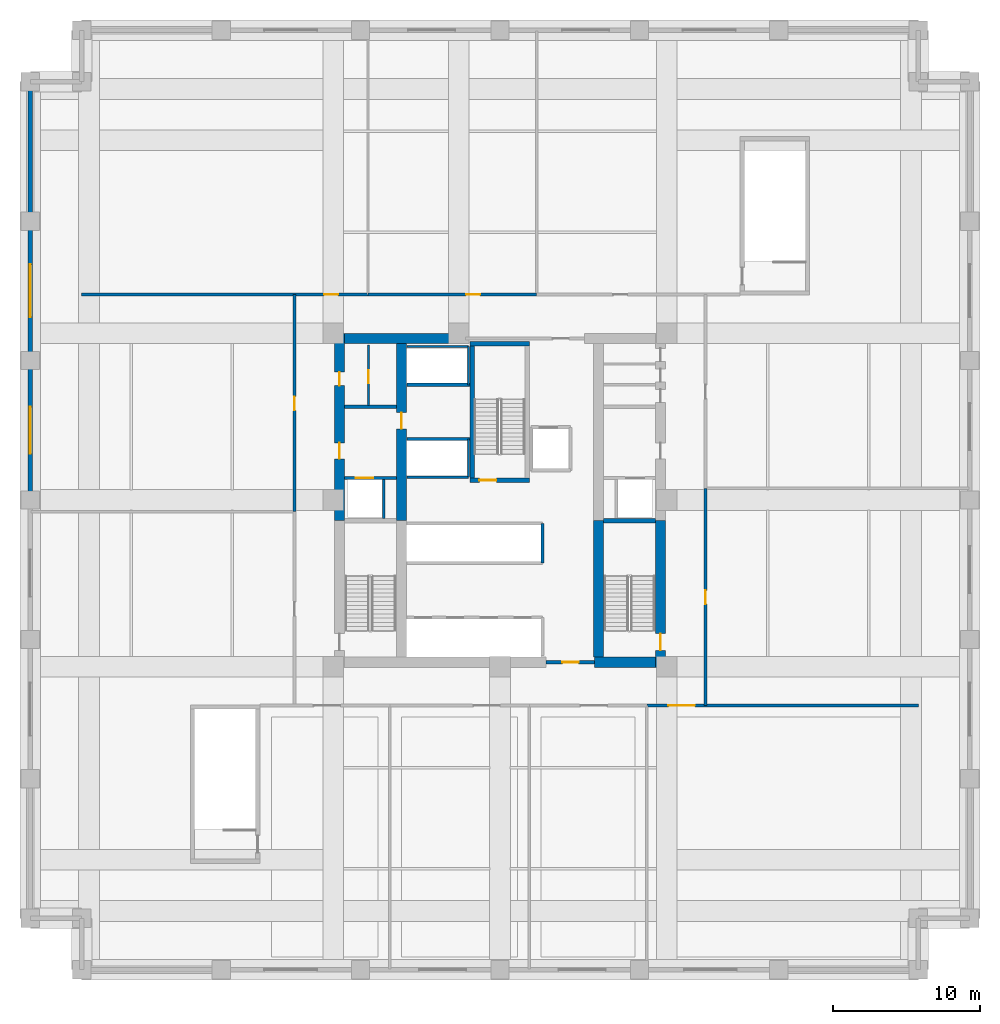
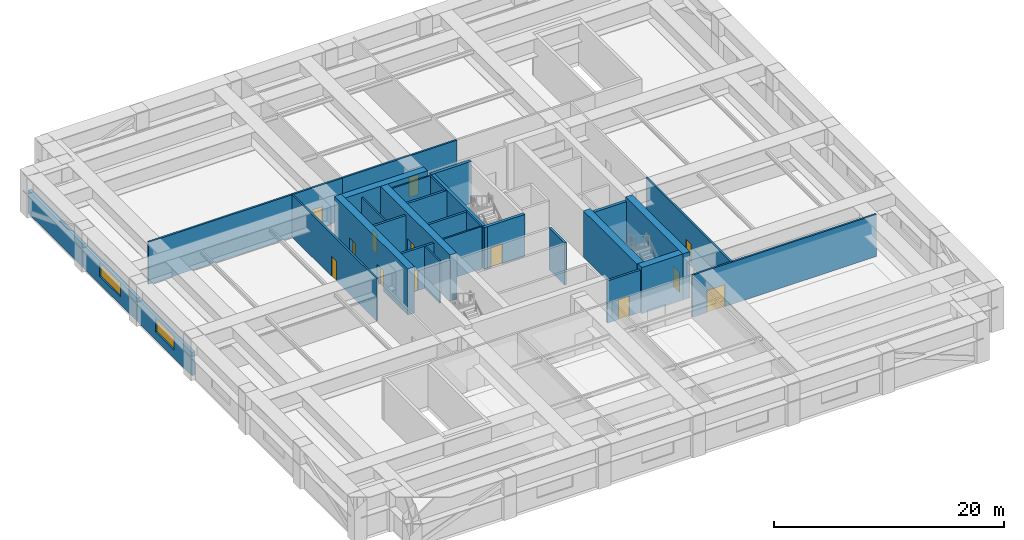
# One storey, part 3 of 8: 30 walls, 13 doors, 2 windows, 15 openings.
"""IFC4 building model written with IfcOpenShell, lengths in metres."""

from ifc_helpers import new_model, si_unit, direction, frame, frame_2d, origin, place, context, subcontext, project, spatial, rectangle, extrude, material, layer, layer_set, type_object, element, fill, save


model = new_model("IFC4")

# Units and contexts
model_context = context("Model", 3, precision=1e-05, world=origin(), true_north=direction((0.0, 1.0)))
body_context = subcontext(model_context, "Body", "Model", "MODEL_VIEW")
ifc_project = project(units=[si_unit("LENGTHUNIT", "METRE"), si_unit("AREAUNIT", "SQUARE_METRE"), si_unit("VOLUMEUNIT", "CUBIC_METRE"), si_unit("PLANEANGLEUNIT", "RADIAN"), si_unit("MASSUNIT", "GRAM", prefix="KILO")], contexts=[model_context])

# Site, building, storey
site_placement = place(None, origin())
site = spatial("IfcSite", under=ifc_project, at=site_placement, CompositionType="ELEMENT")
building_placement = place(site_placement, origin())
building = spatial("IfcBuilding", under=site, at=building_placement, Name="Nhamokura Convention Tower", CompositionType="ELEMENT")
storey_placement = place(building_placement, frame((0.0, 0.0, 29.39990234375)))
storey = spatial("IfcBuildingStorey", under=building, at=storey_placement, Name="L05", CompositionType="ELEMENT", Elevation=29.39990234375)

# Wall, opening, door
ifc_material_1 = material(Name="Moisture-resistant tile-backer partition", Category="masonry")
ifc_layer_1 = layer(ifc_material_1, 0.139892578125)
ifc_layer_set_1 = layer_set([ifc_layer_1], Name="BathroomWetWall_140")
wall_type_1 = type_object("IfcWallType", Name="BathroomWetWall_140", PredefinedType="STANDARD", material=ifc_layer_set_1)
wall_1_placement = place(storey_placement, frame((23.050048828125, 38.449951171875, 0.0), z_axis=(0.0, 0.0, 1.0), x_axis=(0.0, 1.0, 0.0)))
wall_1 = element("IfcWall", 1, at=wall_1_placement, inside=storey, type_object=wall_type_1, Name="L05 Wall INT-L05-CWNWV", PredefinedType="STANDARD", context=body_context, shape_type="SweptSolid", body=[
    extrude(rectangle(XDim=4.10009765625, YDim=0.139892578125, at=frame_2d((2.050048828125, 0.0))), origin(), (0.0, 0.0, 1.0), 4.47998046875),
])
opening_1_placement = place(wall_1_placement, frame((1.5, 0.0, 0.0)))
opening_1 = element("IfcOpeningElement", 2, at=opening_1_placement, cuts=wall_1, Name="Opening D-11", PredefinedType="OPENING", context=body_context, shape_type="SweptSolid", body=[
    extrude(rectangle(XDim=0.8798828125, YDim=2.10009765625, at=frame_2d((0.43994140625, 1.050048828125))), frame((0.0, 0.079833984375, 0.0), z_axis=(0.0, -1.0, 0.0), x_axis=(1.0, 0.0, 0.0)), (0.0, 0.0, 1.0), 0.159912109375),
])
ifc_material_2 = material(Name="Solid oak hardwood", Category="wood")
door_type_1 = type_object("IfcDoorType", Name="BathroomDoor_880", OperationType="NOTDEFINED", PredefinedType="DOOR", material=ifc_material_2)
door_1_placement = place(opening_1_placement, origin())
door_1 = element("IfcDoor", 3, at=door_1_placement, inside=storey, type_object=door_type_1, Name="L05 Inner Store Door", OperationType="SINGLE_SWING_LEFT", OverallHeight=2.10009765625, OverallWidth=0.8798828125, PredefinedType="DOOR", context=body_context, shape_type="SweptSolid", body=[
    extrude(rectangle(XDim=0.8798828125, YDim=2.10009765625, at=frame_2d((0.43994140625, 1.050048828125))), frame((0.0, 0.02490234375, 0.0), z_axis=(0.0, -1.0, 0.0), x_axis=(1.0, 0.0, 0.0)), (0.0, 0.0, 1.0), 0.050048828125),
])
fill(opening_1, door_1)

# Wall, opening, window
ifc_material_3 = material(Name="Bronze-pigmented precast concrete C45/55", Category="concrete")
ifc_layer_2 = layer(ifc_material_3, 0.320068359375)
ifc_layer_set_2 = layer_set([ifc_layer_2], Name="BronzePrecastSpandrel_320")
wall_type_2 = type_object("IfcWallType", Name="BronzePrecastSpandrel_320", PredefinedType="USERDEFINED", material=ifc_layer_set_2)
wall_2_placement = place(storey_placement, frame((0.0, 32.0, 0.0), z_axis=(0.0, 0.0, 1.0), x_axis=(0.0, 1.0, 0.0)))
wall_2 = element("IfcWall", 4, at=wall_2_placement, inside=storey, type_object=wall_type_2, Name="L05 Masonry-Frame Wall WEST 3", ObjectType="SPANDREL_WALL", PredefinedType="USERDEFINED", context=body_context, shape_type="SweptSolid", body=[
    extrude(rectangle(XDim=9.5, YDim=0.320068359375, at=frame_2d((4.75, 0.0))), origin(), (0.0, 0.0, 1.0), 2.47998046875),
])
opening_2_placement = place(wall_2_placement, frame((3.14990234375, 0.0, 0.85009765625)))
opening_2 = element("IfcOpeningElement", 5, at=opening_2_placement, cuts=wall_2, Name="Opening W-02", PredefinedType="OPENING", context=body_context, shape_type="SweptSolid", body=[
    extrude(rectangle(XDim=3.199951171875, YDim=1.429931640625, at=frame_2d((1.60009765625, 0.71484375))), frame((0.0, 0.169921875, 0.0), z_axis=(0.0, -1.0, 0.0), x_axis=(1.0, 0.0, 0.0)), (0.0, 0.0, 1.0), 0.340087890625),
])
ifc_material_4 = material(Name="Solar-control bronze low-E double glass", Category="glass")
window_type_1 = type_object("IfcWindowType", Name="ConventionFoyerWindow_3200", PartitioningType="DOUBLE_PANEL_VERTICAL", PredefinedType="WINDOW", material=ifc_material_4)
window_1_placement = place(opening_2_placement, origin())
window_1 = element("IfcWindow", 6, at=window_1_placement, inside=storey, type_object=window_type_1, Name="L05 Facade Window WEST 3", OverallHeight=1.429931640625, OverallWidth=3.199951171875, PartitioningType="SINGLE_PANEL", PredefinedType="WINDOW", context=body_context, shape_type="SweptSolid", body=[
    extrude(rectangle(XDim=3.199951171875, YDim=1.429931640625, at=frame_2d((1.60009765625, 0.71484375))), frame((0.0, 0.030029296875, 0.0), z_axis=(0.0, -1.0, 0.0), x_axis=(1.0, 0.0, 0.0)), (0.0, 0.0, 1.0), 0.06005859375),
])
fill(opening_2, window_1)

wall_3_placement = place(storey_placement, frame((0.0, 41.5, 0.0), z_axis=(0.0, 0.0, 1.0), x_axis=(0.0, 1.0, 0.0)))
wall_3 = element("IfcWall", 7, at=wall_3_placement, inside=storey, type_object=wall_type_2, Name="L05 Masonry-Frame Wall WEST 4", ObjectType="SPANDREL_WALL", PredefinedType="USERDEFINED", context=body_context, shape_type="SweptSolid", body=[
    extrude(rectangle(XDim=9.5, YDim=0.320068359375, at=frame_2d((4.75, 0.0))), origin(), (0.0, 0.0, 1.0), 2.47998046875),
])
opening_3_placement = place(wall_3_placement, frame((2.949951171875, 0.0, 0.85009765625)))
opening_3 = element("IfcOpeningElement", 8, at=opening_3_placement, cuts=wall_3, Name="Opening W-01", PredefinedType="OPENING", context=body_context, shape_type="SweptSolid", body=[
    extrude(rectangle(XDim=3.60009765625, YDim=1.429931640625, at=frame_2d((1.800048828125, 0.71484375))), frame((0.0, 0.169921875, 0.0), z_axis=(0.0, -1.0, 0.0), x_axis=(1.0, 0.0, 0.0)), (0.0, 0.0, 1.0), 0.340087890625),
])
ifc_material_5 = material(Name="Solar-control bronze low-E double glass", Category="glass")
window_type_2 = type_object("IfcWindowType", Name="PodiumClerestoryWindow_3600", PartitioningType="TRIPLE_PANEL_VERTICAL", PredefinedType="WINDOW", material=ifc_material_5)
window_2_placement = place(opening_3_placement, origin())
window_2 = element("IfcWindow", 9, at=window_2_placement, inside=storey, type_object=window_type_2, Name="L05 Facade Window WEST 4", OverallHeight=1.429931640625, OverallWidth=3.60009765625, PartitioningType="SINGLE_PANEL", PredefinedType="WINDOW", context=body_context, shape_type="SweptSolid", body=[
    extrude(rectangle(XDim=3.60009765625, YDim=1.429931640625, at=frame_2d((1.800048828125, 0.71484375))), frame((0.0, 0.030029296875, 0.0), z_axis=(0.0, -1.0, 0.0), x_axis=(1.0, 0.0, 0.0)), (0.0, 0.0, 1.0), 0.06005859375),
])
fill(opening_3, window_2)

# Wall
wall_4_placement = place(storey_placement, frame((0.0, 51.0, 0.0), z_axis=(0.0, 0.0, 1.0), x_axis=(0.0, 1.0, 0.0)))
element("IfcWall", 10, at=wall_4_placement, inside=storey, type_object=wall_type_2, Name="L05 Braced-Bay Precast Wall WEST 5", ObjectType="SPANDREL_WALL", PredefinedType="USERDEFINED", context=body_context, shape_type="SweptSolid", body=[
    extrude(rectangle(XDim=9.5, YDim=0.320068359375, at=frame_2d((4.75, 0.0))), origin(), (0.0, 0.0, 1.0), 2.47998046875),
])

# Wall, openings, doors
ifc_material_6 = material(Name="Concrete C70/85", Category="concrete")
ifc_layer_3 = layer(ifc_material_6, 0.699951171875)
ifc_layer_set_3 = layer_set([ifc_layer_3], Name="CoreShearWall_700")
wall_type_3 = type_object("IfcWallType", Name="CoreShearWall_700", PredefinedType="SHEAR", material=ifc_layer_set_3)
wall_5_placement = place(storey_placement, frame((21.06005859375, 30.60009765625, 0.0), z_axis=(0.0, 0.0, 1.0), x_axis=(0.0, 1.0, 0.0)))
wall_5 = element("IfcWall", 11, at=wall_5_placement, inside=storey, type_object=wall_type_3, Name="L05 Core Shear Wall CW-WN", PredefinedType="SHEAR", context=body_context, shape_type="SweptSolid", body=[
    extrude(rectangle(XDim=12.75, YDim=0.699951171875, at=frame_2d((6.375, 0.0))), origin(), (0.0, 0.0, 1.0), 4.900146484375),
])
opening_4_placement = place(wall_5_placement, frame((4.199951171875, 0.0, 0.0)))
opening_4 = element("IfcOpeningElement", 12, at=opening_4_placement, cuts=wall_5, Name="Opening D-05", PredefinedType="OPENING", context=body_context, shape_type="SweptSolid", body=[
    extrude(rectangle(XDim=1.10009765625, YDim=2.14990234375, at=frame_2d((0.550048828125, 1.074951171875))), frame((0.0, 0.35986328125, 0.0), z_axis=(0.0, -1.0, 0.0), x_axis=(1.0, 0.0, 0.0)), (0.0, 0.0, 1.0), 0.719970703125),
])
opening_5_placement = place(wall_5_placement, frame((9.199951171875, 0.0, 0.0)))
opening_5 = element("IfcOpeningElement", 13, at=opening_5_placement, cuts=wall_5, Name="Opening D-10", PredefinedType="OPENING", context=body_context, shape_type="SweptSolid", body=[
    extrude(rectangle(XDim=0.919921875, YDim=2.10009765625, at=frame_2d((0.4599609375, 1.050048828125))), frame((0.0, 0.35986328125, 0.0), z_axis=(0.0, -1.0, 0.0), x_axis=(1.0, 0.0, 0.0)), (0.0, 0.0, 1.0), 0.719970703125),
])
ifc_material_7 = material(Name="Solid oak hardwood", Category="wood")
door_type_2 = type_object("IfcDoorType", Name="AccessibleWCDoor_920", OperationType="NOTDEFINED", PredefinedType="DOOR", material=ifc_material_7)
door_2_placement = place(opening_5_placement, origin())
door_2 = element("IfcDoor", 14, at=door_2_placement, inside=storey, type_object=door_type_2, Name="L05 Core Door INT-L05-D-AWCW", OperationType="SINGLE_SWING_RIGHT", OverallHeight=2.10009765625, OverallWidth=0.919921875, PredefinedType="DOOR", context=body_context, shape_type="SweptSolid", body=[
    extrude(rectangle(XDim=0.919921875, YDim=2.10009765625, at=frame_2d((0.4599609375, 1.050048828125))), frame((0.0, 0.02490234375, 0.0), z_axis=(0.0, -1.0, 0.0), x_axis=(1.0, 0.0, 0.0)), (0.0, 0.0, 1.0), 0.050048828125),
])
fill(opening_5, door_2)
ifc_material_8 = material(Name="Fire-rated steel door", Category="steel")
door_type_3 = type_object("IfcDoorType", Name="FireLobbyDoor_1100", OperationType="NOTDEFINED", PredefinedType="DOOR", material=ifc_material_8)
door_3_placement = place(opening_4_placement, origin())
door_3 = element("IfcDoor", 15, at=door_3_placement, inside=storey, type_object=door_type_3, Name="L05 Core Door INT-L05-D-FFLW", OperationType="SINGLE_SWING_RIGHT", OverallHeight=2.14990234375, OverallWidth=1.10009765625, PredefinedType="DOOR", context=body_context, shape_type="SweptSolid", body=[
    extrude(rectangle(XDim=1.10009765625, YDim=2.14990234375, at=frame_2d((0.550048828125, 1.074951171875))), frame((0.0, 0.02490234375, 0.0), z_axis=(0.0, -1.0, 0.0), x_axis=(1.0, 0.0, 0.0)), (0.0, 0.0, 1.0), 0.050048828125),
])
fill(opening_4, door_3)

# Wall, opening, door
wall_6_placement = place(storey_placement, frame((42.93994140625, 20.60009765625, 0.0), z_axis=(0.0, 0.0, 1.0), x_axis=(0.0, 1.0, 0.0)))
wall_6 = element("IfcWall", 16, at=wall_6_placement, inside=storey, type_object=wall_type_3, Name="L05 Core Shear Wall CW-ES", PredefinedType="SHEAR", context=body_context, shape_type="SweptSolid", body=[
    extrude(rectangle(XDim=10.0, YDim=0.699951171875, at=frame_2d((5.0, 0.0))), origin(), (0.0, 0.0, 1.0), 4.900146484375),
])
opening_6_placement = place(wall_6_placement, frame((1.14990234375, 0.0, 0.0)))
opening_6 = element("IfcOpeningElement", 17, at=opening_6_placement, cuts=wall_6, Name="Opening D-04", PredefinedType="OPENING", context=body_context, shape_type="SweptSolid", body=[
    extrude(rectangle(XDim=1.14990234375, YDim=2.14990234375, at=frame_2d((0.574951171875, 1.074951171875))), frame((0.0, 0.35986328125, 0.0), z_axis=(0.0, -1.0, 0.0), x_axis=(1.0, 0.0, 0.0)), (0.0, 0.0, 1.0), 0.719970703125),
])
ifc_material_9 = material(Name="Fire-rated steel door", Category="steel")
door_type_4 = type_object("IfcDoorType", Name="StairSmokeDoor_1150", OperationType="NOTDEFINED", PredefinedType="DOOR", material=ifc_material_9)
door_4_placement = place(opening_6_placement, origin())
door_4 = element("IfcDoor", 18, at=door_4_placement, inside=storey, type_object=door_type_4, Name="L05 Core Door INT-L05-D-ST02", OperationType="SINGLE_SWING_RIGHT", OverallHeight=2.14990234375, OverallWidth=1.14990234375, PredefinedType="DOOR", context=body_context, shape_type="SweptSolid", body=[
    extrude(rectangle(XDim=1.14990234375, YDim=2.14990234375, at=frame_2d((0.574951171875, 1.074951171875))), frame((0.0, 0.02490234375, 0.0), z_axis=(0.0, -1.0, 0.0), x_axis=(1.0, 0.0, 0.0)), (0.0, 0.0, 1.0), 0.050048828125),
])
fill(opening_6, door_4)

# Walls
wall_7_placement = place(storey_placement, frame((38.449951171875, 20.949951171875, 0.0), z_axis=(0.0, 0.0, 1.0), x_axis=(1.0, 0.0, 0.0)))
element("IfcWall", 19, at=wall_7_placement, inside=storey, type_object=wall_type_3, Name="L05 Core Shear Wall CW-S2", PredefinedType="SHEAR", context=body_context, shape_type="SweptSolid", body=[
    extrude(rectangle(XDim=4.14013671875, YDim=0.699951171875, at=frame_2d((2.070068359375, 0.0))), origin(), (0.0, 0.0, 1.0), 4.900146484375),
])
wall_8_placement = place(storey_placement, frame((21.409912109375, 43.0, 0.0), z_axis=(0.0, 0.0, 1.0), x_axis=(1.0, 0.0, 0.0)))
element("IfcWall", 20, at=wall_8_placement, inside=storey, type_object=wall_type_3, Name="L05 Core Shear Wall CW-N1", PredefinedType="SHEAR", context=body_context, shape_type="SweptSolid", body=[
    extrude(rectangle(XDim=8.239990234375, YDim=0.699951171875, at=frame_2d((4.1201171875, 0.0))), origin(), (0.0, 0.0, 1.0), 4.900146484375),
])

# Wall, opening, door
wall_9_placement = place(storey_placement, frame((25.2900390625, 30.60009765625, 0.0), z_axis=(0.0, 0.0, 1.0), x_axis=(0.0, 1.0, 0.0)))
wall_9 = element("IfcWall", 21, at=wall_9_placement, inside=storey, type_object=wall_type_3, Name="L05 Core Shear Wall CW-IWN", PredefinedType="SHEAR", context=body_context, shape_type="SweptSolid", body=[
    extrude(rectangle(XDim=12.0498046875, YDim=0.699951171875, at=frame_2d((6.02490234375, 0.0))), origin(), (0.0, 0.0, 1.0), 4.900146484375),
])
opening_7_placement = place(wall_9_placement, frame((6.25, 0.0, 0.0)))
opening_7 = element("IfcOpeningElement", 22, at=opening_7_placement, cuts=wall_9, Name="Opening D-05", PredefinedType="OPENING", context=body_context, shape_type="SweptSolid", body=[
    extrude(rectangle(XDim=1.10009765625, YDim=2.14990234375, at=frame_2d((0.550048828125, 1.074951171875))), frame((0.0, 0.35986328125, 0.0), z_axis=(0.0, -1.0, 0.0), x_axis=(1.0, 0.0, 0.0)), (0.0, 0.0, 1.0), 0.719970703125),
])
door_5_placement = place(opening_7_placement, origin())
door_5 = element("IfcDoor", 23, at=door_5_placement, inside=storey, type_object=door_type_3, Name="L05 Core Door INT-L05-D-B3LOB", OperationType="SINGLE_SWING_LEFT", OverallHeight=2.14990234375, OverallWidth=1.10009765625, PredefinedType="DOOR", context=body_context, shape_type="SweptSolid", body=[
    extrude(rectangle(XDim=1.10009765625, YDim=2.14990234375, at=frame_2d((0.550048828125, 1.074951171875))), frame((0.0, 0.02490234375, 0.0), z_axis=(0.0, -1.0, 0.0), x_axis=(1.0, 0.0, 0.0)), (0.0, 0.0, 1.0), 0.050048828125),
])
fill(opening_7, door_5)

# Wall
wall_10_placement = place(storey_placement, frame((38.7099609375, 21.300048828125, 0.0), z_axis=(0.0, 0.0, 1.0), x_axis=(0.0, 1.0, 0.0)))
element("IfcWall", 24, at=wall_10_placement, inside=storey, type_object=wall_type_3, Name="L05 Core Shear Wall CW-IES", PredefinedType="SHEAR", context=body_context, shape_type="SweptSolid", body=[
    extrude(rectangle(XDim=9.300048828125, YDim=0.699951171875, at=frame_2d((4.64990234375, 0.0))), origin(), (0.0, 0.0, 1.0), 4.900146484375),
])

# Wall, opening, door
ifc_material_10 = material(Name="Fire-rated gypsum and masonry partition", Category="masonry")
ifc_layer_4 = layer(ifc_material_10, 0.179931640625)
ifc_layer_set_4 = layer_set([ifc_layer_4], Name="CorridorRatedWall_180")
wall_type_4 = type_object("IfcWallType", Name="CorridorRatedWall_180", PredefinedType="STANDARD", material=ifc_layer_set_4)
wall_11_placement = place(storey_placement, frame((42.0, 18.0, 0.0), z_axis=(0.0, 0.0, 1.0), x_axis=(1.0, 0.0, 0.0)))
wall_11 = element("IfcWall", 25, at=wall_11_placement, inside=storey, type_object=wall_type_4, Name="L05 Wall INT-L05-CW-S03", PredefinedType="STANDARD", context=body_context, shape_type="SweptSolid", body=[
    extrude(rectangle(XDim=18.5, YDim=0.179931640625, at=frame_2d((9.25, 0.0))), origin(), (0.0, 0.0, 1.0), 4.47998046875),
])
opening_8_placement = place(wall_11_placement, frame((1.47509765625, 0.0, 0.0)))
opening_8 = element("IfcOpeningElement", 26, at=opening_8_placement, cuts=wall_11, Name="Opening D-03", PredefinedType="OPENING", context=body_context, shape_type="SweptSolid", body=[
    extrude(rectangle(XDim=1.800048828125, YDim=2.35009765625, at=frame_2d((0.89990234375, 1.175048828125))), frame((0.0, 0.099853515625, 0.0), z_axis=(0.0, -1.0, 0.0), x_axis=(1.0, 0.0, 0.0)), (0.0, 0.0, 1.0), 0.199951171875),
])
ifc_material_11 = material(Name="Solid oak hardwood", Category="wood")
door_type_5 = type_object("IfcDoorType", Name="BallroomDoubleDoor_1800", OperationType="DOUBLE_DOOR_SINGLE_SWING", PredefinedType="DOOR", material=ifc_material_11)
door_6_placement = place(opening_8_placement, origin())
door_6 = element("IfcDoor", 27, at=door_6_placement, inside=storey, type_object=door_type_5, Name="L05 Symposium Hall S04 Door", OperationType="SINGLE_SWING_RIGHT", OverallHeight=2.35009765625, OverallWidth=1.800048828125, PredefinedType="DOOR", context=body_context, shape_type="SweptSolid", body=[
    extrude(rectangle(XDim=1.800048828125, YDim=2.35009765625, at=frame_2d((0.89990234375, 1.175048828125))), frame((0.0, 0.02490234375, 0.0), z_axis=(0.0, -1.0, 0.0), x_axis=(1.0, 0.0, 0.0)), (0.0, 0.0, 1.0), 0.050048828125),
])
fill(opening_8, door_6)

wall_12_placement = place(storey_placement, frame((3.5, 46.0, 0.0), z_axis=(0.0, 0.0, 1.0), x_axis=(1.0, 0.0, 0.0)))
wall_12 = element("IfcWall", 28, at=wall_12_placement, inside=storey, type_object=wall_type_4, Name="L05 Wall INT-L05-CW-N00", PredefinedType="STANDARD", context=body_context, shape_type="SweptSolid", body=[
    extrude(rectangle(XDim=19.5, YDim=0.179931640625, at=frame_2d((9.75, 0.0))), origin(), (0.0, 0.0, 1.0), 4.47998046875),
])
opening_9_placement = place(wall_12_placement, frame((16.52490234375, 0.0, 0.0)))
opening_9 = element("IfcOpeningElement", 29, at=opening_9_placement, cuts=wall_12, Name="Opening D-09", PredefinedType="OPENING", context=body_context, shape_type="SweptSolid", body=[
    extrude(rectangle(XDim=0.949951171875, YDim=2.14990234375, at=frame_2d((0.47509765625, 1.074951171875))), frame((0.0, 0.099853515625, 0.0), z_axis=(0.0, -1.0, 0.0), x_axis=(1.0, 0.0, 0.0)), (0.0, 0.0, 1.0), 0.199951171875),
])
ifc_material_12 = material(Name="Solid oak hardwood", Category="wood")
door_type_6 = type_object("IfcDoorType", Name="MeetingRoomDoor_950", OperationType="NOTDEFINED", PredefinedType="DOOR", material=ifc_material_12)
door_7_placement = place(opening_9_placement, origin())
door_7 = element("IfcDoor", 30, at=door_7_placement, inside=storey, type_object=door_type_6, Name="L05 Congress Secretariat N01 Door", OperationType="SINGLE_SWING_LEFT", OverallHeight=2.14990234375, OverallWidth=0.949951171875, PredefinedType="DOOR", context=body_context, shape_type="SweptSolid", body=[
    extrude(rectangle(XDim=0.949951171875, YDim=2.14990234375, at=frame_2d((0.47509765625, 1.074951171875))), frame((0.0, 0.02490234375, 0.0), z_axis=(0.0, -1.0, 0.0), x_axis=(1.0, 0.0, 0.0)), (0.0, 0.0, 1.0), 0.050048828125),
])
fill(opening_9, door_7)

wall_13_placement = place(storey_placement, frame((23.0, 46.0, 0.0), z_axis=(0.0, 0.0, 1.0), x_axis=(1.0, 0.0, 0.0)))
wall_13 = element("IfcWall", 31, at=wall_13_placement, inside=storey, type_object=wall_type_4, Name="L05 Wall INT-L05-CW-N01", PredefinedType="STANDARD", context=body_context, shape_type="SweptSolid", body=[
    extrude(rectangle(XDim=11.5, YDim=0.179931640625, at=frame_2d((5.75, 0.0))), origin(), (0.0, 0.0, 1.0), 4.47998046875),
])
opening_10_placement = place(wall_13_placement, frame((6.699951171875, 0.0, 0.0)))
opening_10 = element("IfcOpeningElement", 32, at=opening_10_placement, cuts=wall_13, Name="Opening D-09", PredefinedType="OPENING", context=body_context, shape_type="SweptSolid", body=[
    extrude(rectangle(XDim=0.949951171875, YDim=2.14990234375, at=frame_2d((0.47509765625, 1.074951171875))), frame((0.0, 0.099853515625, 0.0), z_axis=(0.0, -1.0, 0.0), x_axis=(1.0, 0.0, 0.0)), (0.0, 0.0, 1.0), 0.199951171875),
])
door_8_placement = place(opening_10_placement, origin())
door_8 = element("IfcDoor", 33, at=door_8_placement, inside=storey, type_object=door_type_6, Name="L05 Boardroom N02 Door", OperationType="SINGLE_SWING_RIGHT", OverallHeight=2.14990234375, OverallWidth=0.949951171875, PredefinedType="DOOR", context=body_context, shape_type="SweptSolid", body=[
    extrude(rectangle(XDim=0.949951171875, YDim=2.14990234375, at=frame_2d((0.47509765625, 1.074951171875))), frame((0.0, 0.02490234375, 0.0), z_axis=(0.0, -1.0, 0.0), x_axis=(1.0, 0.0, 0.0)), (0.0, 0.0, 1.0), 0.050048828125),
])
fill(opening_10, door_8)

wall_14_placement = place(storey_placement, frame((18.0, 31.199951171875, 0.0), z_axis=(0.0, 0.0, 1.0), x_axis=(0.0, 1.0, 0.0)))
wall_14 = element("IfcWall", 34, at=wall_14_placement, inside=storey, type_object=wall_type_4, Name="L05 Wall INT-L05-CW-W01", PredefinedType="STANDARD", context=body_context, shape_type="SweptSolid", body=[
    extrude(rectangle(XDim=14.800048828125, YDim=0.179931640625, at=frame_2d((7.39990234375, 0.0))), origin(), (0.0, 0.0, 1.0), 4.47998046875),
])
opening_11_placement = place(wall_14_placement, frame((6.89990234375, 0.0, 0.0)))
opening_11 = element("IfcOpeningElement", 35, at=opening_11_placement, cuts=wall_14, Name="Opening D-09", PredefinedType="OPENING", context=body_context, shape_type="SweptSolid", body=[
    extrude(rectangle(XDim=0.949951171875, YDim=2.14990234375, at=frame_2d((0.47509765625, 1.074951171875))), frame((0.0, 0.099853515625, 0.0), z_axis=(0.0, -1.0, 0.0), x_axis=(1.0, 0.0, 0.0)), (0.0, 0.0, 1.0), 0.199951171875),
])
door_9_placement = place(opening_11_placement, origin())
door_9 = element("IfcDoor", 36, at=door_9_placement, inside=storey, type_object=door_type_6, Name="L05 Meeting Room W02 Door", OperationType="SINGLE_SWING_RIGHT", OverallHeight=2.14990234375, OverallWidth=0.949951171875, PredefinedType="DOOR", context=body_context, shape_type="SweptSolid", body=[
    extrude(rectangle(XDim=0.949951171875, YDim=2.14990234375, at=frame_2d((0.47509765625, 1.074951171875))), frame((0.0, 0.02490234375, 0.0), z_axis=(0.0, -1.0, 0.0), x_axis=(1.0, 0.0, 0.0)), (0.0, 0.0, 1.0), 0.050048828125),
])
fill(opening_11, door_9)

wall_15_placement = place(storey_placement, frame((46.0, 18.0, 0.0), z_axis=(0.0, 0.0, 1.0), x_axis=(0.0, 1.0, 0.0)))
wall_15 = element("IfcWall", 37, at=wall_15_placement, inside=storey, type_object=wall_type_4, Name="L05 Wall INT-L05-CW-E00", PredefinedType="STANDARD", context=body_context, shape_type="SweptSolid", body=[
    extrude(rectangle(XDim=14.800048828125, YDim=0.179931640625, at=frame_2d((7.39990234375, 0.0))), origin(), (0.0, 0.0, 1.0), 4.47998046875),
])
opening_12_placement = place(wall_15_placement, frame((6.89990234375, 0.0, 0.0)))
opening_12 = element("IfcOpeningElement", 38, at=opening_12_placement, cuts=wall_15, Name="Opening D-09", PredefinedType="OPENING", context=body_context, shape_type="SweptSolid", body=[
    extrude(rectangle(XDim=0.949951171875, YDim=2.14990234375, at=frame_2d((0.47509765625, 1.074951171875))), frame((0.0, 0.099853515625, 0.0), z_axis=(0.0, -1.0, 0.0), x_axis=(1.0, 0.0, 0.0)), (0.0, 0.0, 1.0), 0.199951171875),
])
door_10_placement = place(opening_12_placement, origin())
door_10 = element("IfcDoor", 39, at=door_10_placement, inside=storey, type_object=door_type_6, Name="L05 Delegate Business Lounge E01 Door", OperationType="SINGLE_SWING_LEFT", OverallHeight=2.14990234375, OverallWidth=0.949951171875, PredefinedType="DOOR", context=body_context, shape_type="SweptSolid", body=[
    extrude(rectangle(XDim=0.949951171875, YDim=2.14990234375, at=frame_2d((0.47509765625, 1.074951171875))), frame((0.0, 0.02490234375, 0.0), z_axis=(0.0, -1.0, 0.0), x_axis=(1.0, 0.0, 0.0)), (0.0, 0.0, 1.0), 0.050048828125),
])
fill(opening_12, door_10)

ifc_material_13 = material(Name="Autoclaved concrete blockwork", Category="masonry")
ifc_layer_5 = layer(ifc_material_13, 0.219970703125)
ifc_layer_set_5 = layer_set([ifc_layer_5], Name="FireLobbyWall_220")
wall_type_5 = type_object("IfcWallType", Name="FireLobbyWall_220", PredefinedType="STANDARD", material=ifc_layer_set_5)
wall_16_placement = place(storey_placement, frame((21.409912109375, 33.5, 0.0), z_axis=(0.0, 0.0, 1.0), x_axis=(1.0, 0.0, 0.0)))
wall_16 = element("IfcWall", 40, at=wall_16_placement, inside=storey, type_object=wall_type_5, Name="L05 Wall INT-L05-FFW-S", PredefinedType="STANDARD", context=body_context, shape_type="SweptSolid", body=[
    extrude(rectangle(XDim=3.530029296875, YDim=0.219970703125, at=frame_2d((1.76513671875, 0.0))), origin(), (0.0, 0.0, 1.0), 4.47998046875),
])
opening_13_placement = place(wall_16_placement, frame((0.75, 0.0, 0.0)))
opening_13 = element("IfcOpeningElement", 41, at=opening_13_placement, cuts=wall_16, Name="Opening LD-02", PredefinedType="OPENING", context=body_context, shape_type="SweptSolid", body=[
    extrude(rectangle(XDim=1.199951171875, YDim=2.199951171875, at=frame_2d((0.60009765625, 1.10009765625))), frame((0.0, 0.119873046875, 0.0), z_axis=(0.0, -1.0, 0.0), x_axis=(1.0, 0.0, 0.0)), (0.0, 0.0, 1.0), 0.239990234375),
])
ifc_material_14 = material(Name="Anodised bronze stainless steel", Category="steel")
door_type_7 = type_object("IfcDoorType", Name="LiftLandingDoor_FireService", OperationType="DOUBLE_DOOR_SLIDING", PredefinedType="DOOR", material=ifc_material_14)
door_11_placement = place(opening_13_placement, origin())
door_11 = element("IfcDoor", 42, at=door_11_placement, inside=storey, type_object=door_type_7, Name="L05 Firefighting Lift LF-01 Door", OperationType="DOUBLE_DOOR_SLIDING", OverallHeight=2.199951171875, OverallWidth=1.199951171875, PredefinedType="DOOR", context=body_context, shape_type="SweptSolid", body=[
    extrude(rectangle(XDim=1.199951171875, YDim=2.199951171875, at=frame_2d((0.60009765625, 1.10009765625))), frame((0.0, 0.02490234375, 0.0), z_axis=(0.0, -1.0, 0.0), x_axis=(1.0, 0.0, 0.0)), (0.0, 0.0, 1.0), 0.050048828125),
])
fill(opening_13, door_11)

# Wall
wall_17_placement = place(storey_placement, frame((21.409912109375, 38.35009765625, 0.0), z_axis=(0.0, 0.0, 1.0), x_axis=(1.0, 0.0, 0.0)))
element("IfcWall", 43, at=wall_17_placement, inside=storey, type_object=wall_type_5, Name="L05 Wall INT-L05-FFW-N", PredefinedType="STANDARD", context=body_context, shape_type="SweptSolid", body=[
    extrude(rectangle(XDim=3.530029296875, YDim=0.219970703125, at=frame_2d((1.76513671875, 0.0))), origin(), (0.0, 0.0, 1.0), 4.47998046875),
])

# Wall, opening, door
wall_18_placement = place(storey_placement, frame((35.14990234375, 20.949951171875, 0.0), z_axis=(0.0, 0.0, 1.0), x_axis=(1.0, 0.0, 0.0)))
wall_18 = element("IfcWall", 44, at=wall_18_placement, inside=storey, type_object=wall_type_5, Name="L05 Wall INT-L05-SPORT-S", PredefinedType="STANDARD", context=body_context, shape_type="SweptSolid", body=[
    extrude(rectangle(XDim=3.300048828125, YDim=0.219970703125, at=frame_2d((1.64990234375, 0.0))), origin(), (0.0, 0.0, 1.0), 4.47998046875),
])
opening_14_placement = place(wall_18_placement, frame((1.10009765625, 0.0, 0.0)))
opening_14 = element("IfcOpeningElement", 45, at=opening_14_placement, cuts=wall_18, Name="Opening D-05", PredefinedType="OPENING", context=body_context, shape_type="SweptSolid", body=[
    extrude(rectangle(XDim=1.10009765625, YDim=2.14990234375, at=frame_2d((0.550048828125, 1.074951171875))), frame((0.0, 0.119873046875, 0.0), z_axis=(0.0, -1.0, 0.0), x_axis=(1.0, 0.0, 0.0)), (0.0, 0.0, 1.0), 0.239990234375),
])
door_12_placement = place(opening_14_placement, origin())
door_12 = element("IfcDoor", 46, at=door_12_placement, inside=storey, type_object=door_type_3, Name="L05 South Core Lobby Portal Door", OperationType="SINGLE_SWING_LEFT", OverallHeight=2.14990234375, OverallWidth=1.10009765625, PredefinedType="DOOR", context=body_context, shape_type="SweptSolid", body=[
    extrude(rectangle(XDim=1.10009765625, YDim=2.14990234375, at=frame_2d((0.550048828125, 1.074951171875))), frame((0.0, 0.02490234375, 0.0), z_axis=(0.0, -1.0, 0.0), x_axis=(1.0, 0.0, 0.0)), (0.0, 0.0, 1.0), 0.050048828125),
])
fill(opening_14, door_12)

# Walls
wall_19_placement = place(storey_placement, frame((34.89990234375, 27.699951171875, 0.0), z_axis=(0.0, 0.0, 1.0), x_axis=(0.0, 1.0, 0.0)))
element("IfcWall", 47, at=wall_19_placement, inside=storey, type_object=wall_type_5, Name="L05 Wall INT-L05-B2E", PredefinedType="STANDARD", context=body_context, shape_type="SweptSolid", body=[
    extrude(rectangle(XDim=2.699951171875, YDim=0.219970703125, at=frame_2d((1.35009765625, 0.0))), origin(), (0.0, 0.0, 1.0), 4.47998046875),
])
for number, where, z_axis, x_axis, name in (
    (48, (25.64990234375, 36.14990234375, 0.0), (0.0, 0.0, 1.0), (1.0, 0.0, 0.0), "L05 Wall INT-L05-B3S"),
    (49, (25.64990234375, 39.85009765625, 0.0), (0.0, 0.0, 1.0), (1.0, 0.0, 0.0), "L05 Wall INT-L05-B3N"),
):
    element("IfcWall", number, at=place(storey_placement, frame(where, z_axis=z_axis, x_axis=x_axis)), inside=storey, type_object=wall_type_5, Name=name, PredefinedType="STANDARD", context=body_context, shape_type="SweptSolid", body=[
        extrude(rectangle(XDim=4.300048828125, YDim=0.219970703125, at=frame_2d((2.14990234375, 0.0))), origin(), (0.0, 0.0, 1.0), 4.47998046875),
    ])
ifc_material_15 = material(Name="Acoustic gypsum stud partition", Category="masonry")
ifc_layer_6 = layer(ifc_material_15, 0.14990234375)
ifc_layer_set_6 = layer_set([ifc_layer_6], Name="InteriorPartition_150")
wall_type_6 = type_object("IfcWallType", Name="InteriorPartition_150", PredefinedType="STANDARD", material=ifc_layer_set_6)
wall_20_placement = place(storey_placement, frame((24.080078125, 30.75, 0.0), z_axis=(0.0, 0.0, 1.0), x_axis=(0.0, 1.0, 0.0)))
element("IfcWall", 50, at=wall_20_placement, inside=storey, type_object=wall_type_6, Name="L05 Wall INT-L05-FF1-E", PredefinedType="STANDARD", context=body_context, shape_type="SweptSolid", body=[
    extrude(rectangle(XDim=2.64990234375, YDim=0.14990234375, at=frame_2d((1.324951171875, 0.0))), origin(), (0.0, 0.0, 1.0), 4.47998046875),
])
wall_21_placement = place(storey_placement, frame((25.64990234375, 33.550048828125, 0.0), z_axis=(0.0, 0.0, 1.0), x_axis=(1.0, 0.0, 0.0)))
element("IfcWall", 51, at=wall_21_placement, inside=storey, type_object=wall_type_6, Name="L05 Wall INT-L05-B3A-S", PredefinedType="STANDARD", context=body_context, shape_type="SweptSolid", body=[
    extrude(rectangle(XDim=4.2001953125, YDim=0.14990234375, at=frame_2d((2.10009765625, 0.0))), origin(), (0.0, 0.0, 1.0), 4.47998046875),
])
wall_22_placement = place(storey_placement, frame((29.85009765625, 33.550048828125, 0.0), z_axis=(0.0, 0.0, 1.0), x_axis=(0.0, 1.0, 0.0)))
element("IfcWall", 52, at=wall_22_placement, inside=storey, type_object=wall_type_6, Name="L05 Wall INT-L05-B3A-E", PredefinedType="STANDARD", context=body_context, shape_type="SweptSolid", body=[
    extrude(rectangle(XDim=2.599853515625, YDim=0.14990234375, at=frame_2d((1.2998046875, 0.0))), origin(), (0.0, 0.0, 1.0), 4.47998046875),
])
wall_23_placement = place(storey_placement, frame((25.64990234375, 42.449951171875, 0.0), z_axis=(0.0, 0.0, 1.0), x_axis=(1.0, 0.0, 0.0)))
element("IfcWall", 53, at=wall_23_placement, inside=storey, type_object=wall_type_6, Name="L05 Wall INT-L05-B3B-N", PredefinedType="STANDARD", context=body_context, shape_type="SweptSolid", body=[
    extrude(rectangle(XDim=4.2001953125, YDim=0.14990234375, at=frame_2d((2.10009765625, 0.0))), origin(), (0.0, 0.0, 1.0), 4.47998046875),
])
wall_24_placement = place(storey_placement, frame((29.85009765625, 39.85009765625, 0.0), z_axis=(0.0, 0.0, 1.0), x_axis=(0.0, 1.0, 0.0)))
element("IfcWall", 54, at=wall_24_placement, inside=storey, type_object=wall_type_6, Name="L05 Wall INT-L05-B3B-E", PredefinedType="STANDARD", context=body_context, shape_type="SweptSolid", body=[
    extrude(rectangle(XDim=2.599853515625, YDim=0.14990234375, at=frame_2d((1.2998046875, 0.0))), origin(), (0.0, 0.0, 1.0), 4.47998046875),
])
ifc_material_16 = material(Name="Concrete C50/60", Category="concrete")
ifc_layer_7 = layer(ifc_material_16, 0.300048828125)
ifc_layer_set_7 = layer_set([ifc_layer_7], Name="ShaftEnclosureWall_300")
wall_type_7 = type_object("IfcWallType", Name="ShaftEnclosureWall_300", PredefinedType="SHEAR", material=ifc_layer_set_7)
wall_25_placement = place(storey_placement, frame((39.06005859375, 30.60009765625, 0.0), z_axis=(0.0, 0.0, 1.0), x_axis=(1.0, 0.0, 0.0)))
element("IfcWall", 55, at=wall_25_placement, inside=storey, type_object=wall_type_7, Name="L05 Wall INT-L05-ST02-N", PredefinedType="SHEAR", context=body_context, shape_type="SweptSolid", body=[
    extrude(rectangle(XDim=3.530029296875, YDim=0.300048828125, at=frame_2d((1.76513671875, 0.0))), origin(), (0.0, 0.0, 1.0), 4.47998046875),
])
wall_26_placement = place(storey_placement, frame((30.10009765625, 33.199951171875, 0.0), z_axis=(0.0, 0.0, 1.0), x_axis=(0.0, 1.0, 0.0)))
element("IfcWall", 56, at=wall_26_placement, inside=storey, type_object=wall_type_7, Name="L05 Wall INT-L05-ST03W", PredefinedType="SHEAR", context=body_context, shape_type="SweptSolid", body=[
    extrude(rectangle(XDim=9.60009765625, YDim=0.300048828125, at=frame_2d((4.800048828125, 0.0))), origin(), (0.0, 0.0, 1.0), 4.47998046875),
])

# Wall, opening, door
wall_27_placement = place(storey_placement, frame((29.949951171875, 33.35009765625, 0.0), z_axis=(0.0, 0.0, 1.0), x_axis=(1.0, 0.0, 0.0)))
wall_27 = element("IfcWall", 57, at=wall_27_placement, inside=storey, type_object=wall_type_7, Name="L05 Wall INT-L05-ST03S", PredefinedType="SHEAR", context=body_context, shape_type="SweptSolid", body=[
    extrude(rectangle(XDim=4.050048828125, YDim=0.300048828125, at=frame_2d((2.02490234375, 0.0))), origin(), (0.0, 0.0, 1.0), 4.47998046875),
])
opening_15_placement = place(wall_27_placement, frame((0.64990234375, 0.0, 0.0)))
opening_15 = element("IfcOpeningElement", 58, at=opening_15_placement, cuts=wall_27, Name="Opening D-04", PredefinedType="OPENING", context=body_context, shape_type="SweptSolid", body=[
    extrude(rectangle(XDim=1.14990234375, YDim=2.14990234375, at=frame_2d((0.574951171875, 1.074951171875))), frame((0.0, 0.159912109375, 0.0), z_axis=(0.0, -1.0, 0.0), x_axis=(1.0, 0.0, 0.0)), (0.0, 0.0, 1.0), 0.320068359375),
])
door_13_placement = place(opening_15_placement, origin())
door_13 = element("IfcDoor", 59, at=door_13_placement, inside=storey, type_object=door_type_4, Name="L05 Stair ST-03 Smoke Door", OperationType="SINGLE_SWING_LEFT", OverallHeight=2.14990234375, OverallWidth=1.14990234375, PredefinedType="DOOR", context=body_context, shape_type="SweptSolid", body=[
    extrude(rectangle(XDim=1.14990234375, YDim=2.14990234375, at=frame_2d((0.574951171875, 1.074951171875))), frame((0.0, 0.02490234375, 0.0), z_axis=(0.0, -1.0, 0.0), x_axis=(1.0, 0.0, 0.0)), (0.0, 0.0, 1.0), 0.050048828125),
])
fill(opening_15, door_13)

# Wall
wall_28_placement = place(storey_placement, frame((29.949951171875, 42.64990234375, 0.0), z_axis=(0.0, 0.0, 1.0), x_axis=(1.0, 0.0, 0.0)))
element("IfcWall", 60, at=wall_28_placement, inside=storey, type_object=wall_type_7, Name="L05 Wall INT-L05-ST03N", PredefinedType="SHEAR", context=body_context, shape_type="SweptSolid", body=[
    extrude(rectangle(XDim=4.050048828125, YDim=0.300048828125, at=frame_2d((2.02490234375, 0.0))), origin(), (0.0, 0.0, 1.0), 4.47998046875),
])

save(model, "model.ifc")
